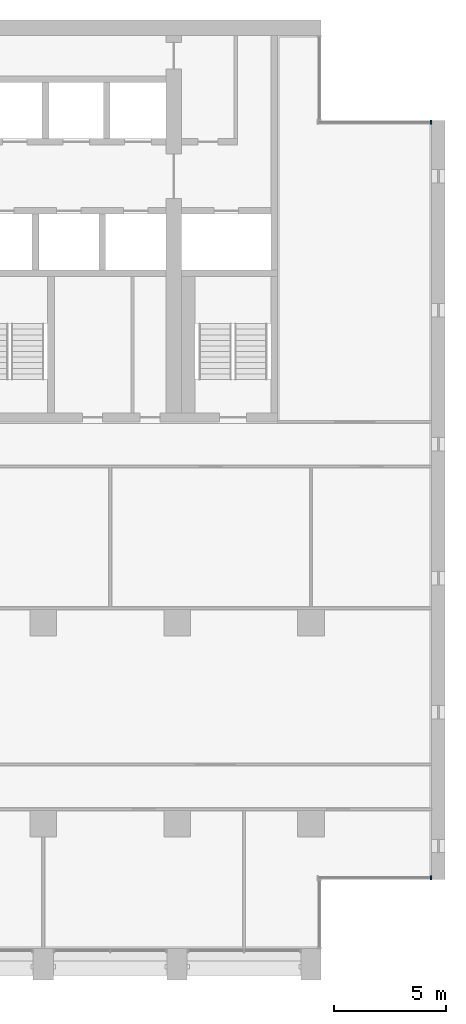
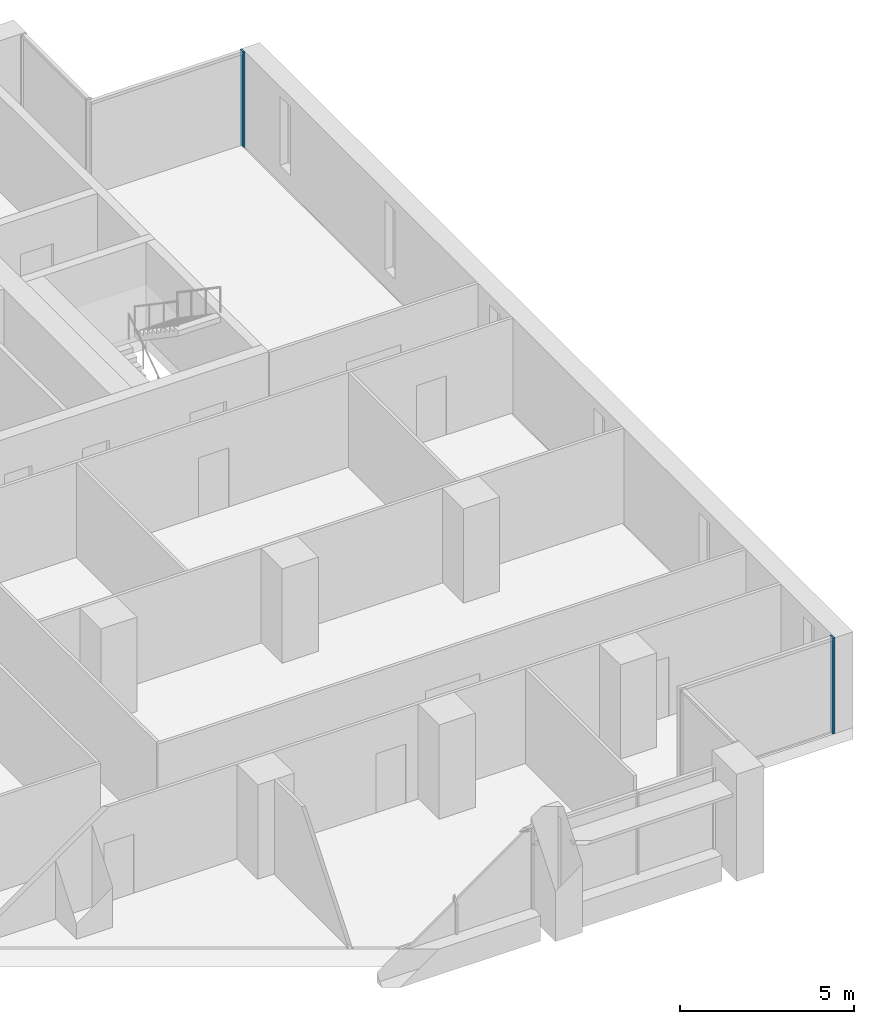
# One storey, part 6 of 17: 2 members, 2 elements without a shape of their own.
"""IFC4 building model written with IfcOpenShell, lengths in metres."""

from ifc_helpers import new_model, si_unit, direction, frame, origin, origin_2d, place, context, subcontext, project, spatial, rectangle, extrude, material, material_profile, profile_set, type_object, element, aggregate, save


model = new_model("IFC4")

# Units and contexts
model_context = context("Model", 3, precision=1e-05, world=origin(), true_north=direction((0.0, 1.0)))
body_context = subcontext(model_context, "Body", "Model", "MODEL_VIEW")
ifc_project = project(units=[si_unit("LENGTHUNIT", "METRE"), si_unit("AREAUNIT", "SQUARE_METRE"), si_unit("VOLUMEUNIT", "CUBIC_METRE"), si_unit("PLANEANGLEUNIT", "RADIAN"), si_unit("MASSUNIT", "GRAM", prefix="KILO")], contexts=[model_context])

# Site, building, storey
site_placement = place(None, origin())
site = spatial("IfcSite", under=ifc_project, at=site_placement, CompositionType="ELEMENT")
building_placement = place(site_placement, origin())
building = spatial("IfcBuilding", under=site, at=building_placement, Name="Calvaro Tower", CompositionType="ELEMENT")
storey_placement = place(building_placement, frame((0.0, 0.0, 170.5)))
storey = spatial("IfcBuildingStorey", under=building, at=storey_placement, Name="L42", CompositionType="ELEMENT", Elevation=170.5)

# Curtain wall, member
ifc_material_1 = material(Name="Anodised aluminium", Category="aluminium")
curtain_wall_type = type_object("IfcCurtainWallType", Name="Office curtain wall, upper zone", PredefinedType="NOTDEFINED", material=ifc_material_1)
curtain_wall_1_placement = place(storey_placement, origin())
curtain_wall_1 = element("IfcCurtainWall", 1, at=curtain_wall_1_placement, inside=storey, type_object=curtain_wall_type, Name="CW3 corner curtain wall", PredefinedType="NOTDEFINED")
ifc_material_2 = material(Name="Anodised aluminium", Category="aluminium")
ifc_material_profile = material_profile(ifc_material_2, rectangle(XDim=0.179931640625, YDim=0.06005859375, at=origin_2d()), Name="Mullion S3 60 x 180")
ifc_profile_set = profile_set([ifc_material_profile], Name="Anodised aluminium")
member_type = type_object("IfcMemberType", Name="Mullion S3 60 x 180", PredefinedType="MULLION", material=ifc_profile_set)
member_1_placement = place(storey_placement, frame((71.3701171875, 7.590087890625, 0.0), z_axis=(0.0, 0.0, 1.0), x_axis=(0.0, 1.0, 0.0)))
member_1 = element("IfcMember", 2, at=member_1_placement, type_object=member_type, Name="CW3 mullion 2", PredefinedType="MULLION", context=body_context, shape_type="SweptSolid", body=[
    extrude(rectangle(XDim=0.179931640625, YDim=0.06005859375, at=origin_2d()), origin(), (0.0, 0.0, 1.0), 3.35009765625),
])
aggregate(curtain_wall_1, [member_1])

curtain_wall_2_placement = place(storey_placement, origin())
curtain_wall_2 = element("IfcCurtainWall", 3, at=curtain_wall_2_placement, inside=storey, type_object=curtain_wall_type, Name="CW3 corner curtain wall", PredefinedType="NOTDEFINED")
member_2_placement = place(storey_placement, frame((71.3701171875, 41.409912109375, 0.0), z_axis=(0.0, 0.0, 1.0), x_axis=(0.0, 1.0, 0.0)))
member_2 = element("IfcMember", 4, at=member_2_placement, type_object=member_type, Name="CW3 mullion 2", PredefinedType="MULLION", context=body_context, shape_type="SweptSolid", body=[
    extrude(rectangle(XDim=0.179931640625, YDim=0.06005859375, at=origin_2d()), origin(), (0.0, 0.0, 1.0), 3.35009765625),
])
aggregate(curtain_wall_2, [member_2])

save(model, "model.ifc")
